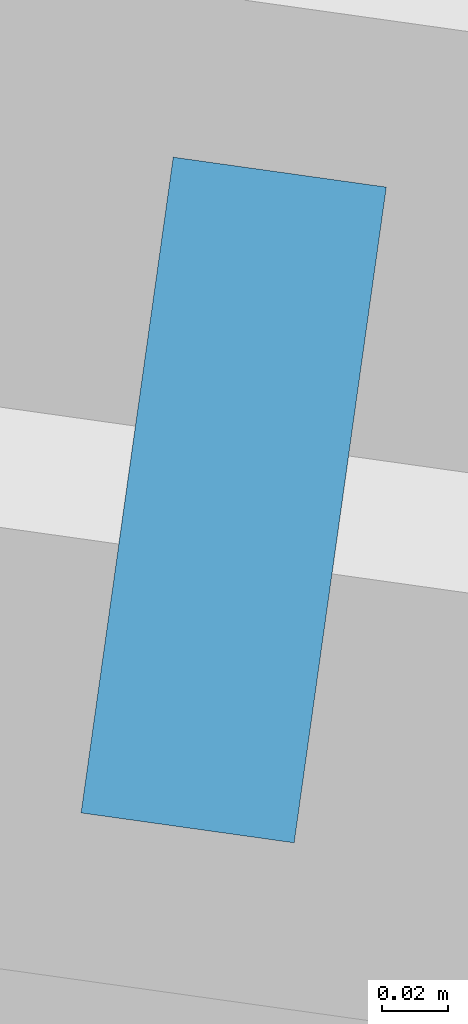
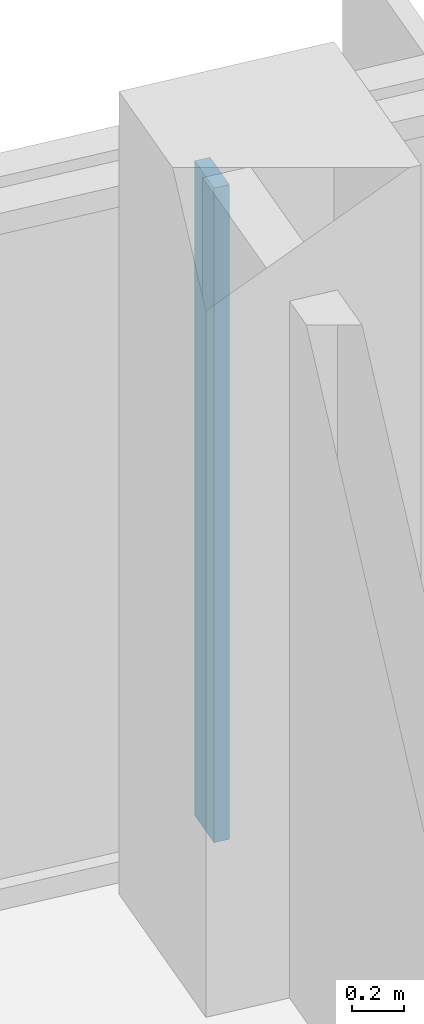
# One storey, part 5 of 34: 1 member, 1 element without a shape of its own.
"""IFC4 building model written with IfcOpenShell, lengths in metres."""

from ifc_helpers import new_model, si_unit, direction, frame, origin, origin_2d, place, context, subcontext, project, spatial, rectangle, extrude, material, material_profile, profile_set, type_object, element, aggregate, save


model = new_model("IFC4")

# Units and contexts
model_context = context("Model", 3, precision=1e-05, world=origin(), true_north=direction((0.0, 1.0)))
body_context = subcontext(model_context, "Body", "Model", "MODEL_VIEW")
ifc_project = project(units=[si_unit("LENGTHUNIT", "METRE"), si_unit("AREAUNIT", "SQUARE_METRE"), si_unit("VOLUMEUNIT", "CUBIC_METRE"), si_unit("PLANEANGLEUNIT", "RADIAN"), si_unit("MASSUNIT", "GRAM", prefix="KILO")], contexts=[model_context])

# Site, building, storey
site_placement = place(None, origin())
site = spatial("IfcSite", under=ifc_project, at=site_placement, CompositionType="ELEMENT")
building_placement = place(site_placement, origin())
building = spatial("IfcBuilding", under=site, at=building_placement, Name="Mirante Cascada Hotel Towers", CompositionType="ELEMENT")
storey_placement = place(building_placement, frame((0.0, 0.0, 148.1)))
storey = spatial("IfcBuildingStorey", under=building, at=storey_placement, Name="L34", CompositionType="ELEMENT", Elevation=148.1)

# Curtain wall, member
ifc_material_1 = material(Name="Aluminium mullion and transom frame with clear laminated glass", Category="aluminium")
curtain_wall_type = type_object("IfcCurtainWallType", Name="Ribbon curtain wall ECW1", PredefinedType="NOTDEFINED", material=ifc_material_1)
curtain_wall_placement = place(storey_placement, origin())
curtain_wall = element("IfcCurtainWall", 1, at=curtain_wall_placement, inside=storey, type_object=curtain_wall_type, Name="Front ribbon wall T1 L34", PredefinedType="NOTDEFINED")
ifc_material_2 = material(Name="Anodised aluminium extrusion", Category="aluminium")
ifc_material_profile = material_profile(ifc_material_2, rectangle(XDim=0.2, YDim=0.065, at=origin_2d()), Name="ECW1 MULLION 65x200")
ifc_profile_set = profile_set([ifc_material_profile], Name="Anodised aluminium extrusion")
member_type = type_object("IfcMemberType", Name="ECW1 mullion 65x200", PredefinedType="MULLION", material=ifc_profile_set)
member_placement = place(storey_placement, frame((-63.0262, 21.6768, 0.1), z_axis=(0.0, 0.0, 1.0), x_axis=(0.1391731, 0.9902681, 0.0)))
member = element("IfcMember", 2, at=member_placement, type_object=member_type, Name="ECW1 mullion 8", PredefinedType="MULLION", context=body_context, shape_type="SweptSolid", body=[
    extrude(rectangle(XDim=0.2, YDim=0.065, at=origin_2d()), origin(), (0.0, 0.0, 1.0), 3.1),
])
aggregate(curtain_wall, [member])

save(model, "model.ifc")
